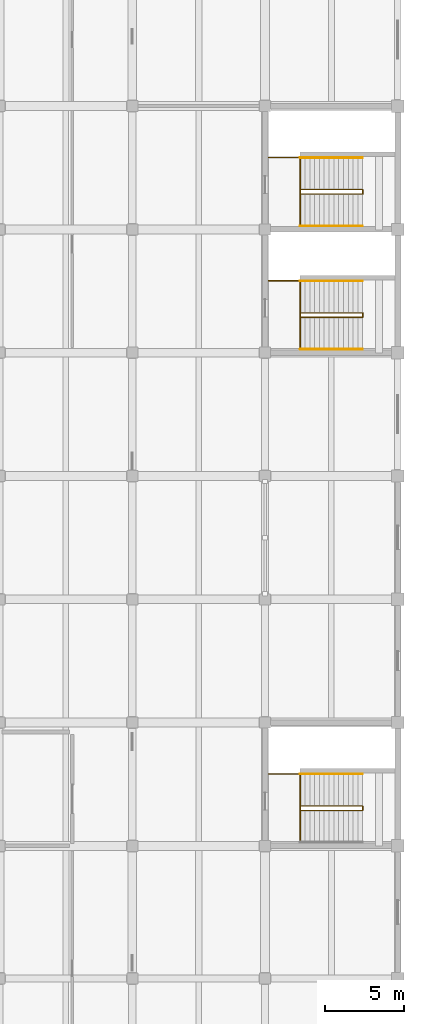
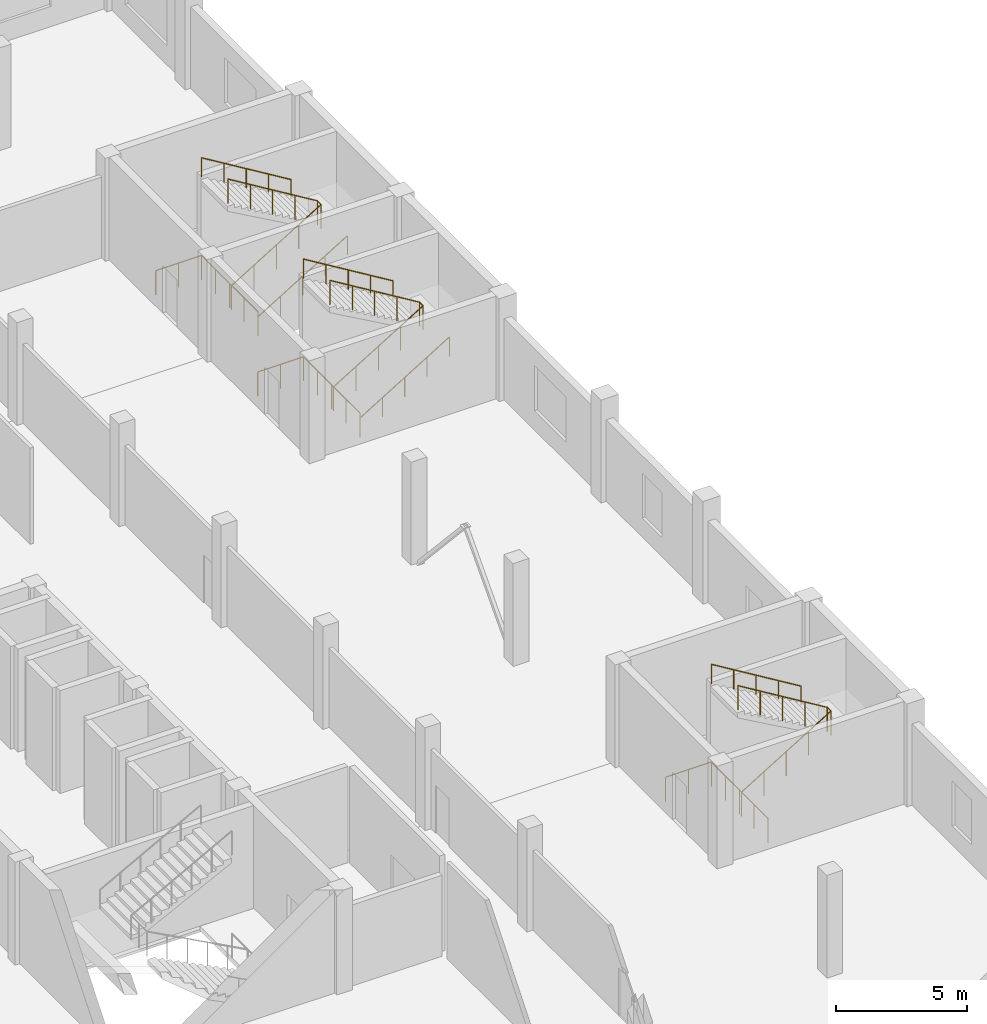
# One storey, part 91 of 91: 11 railings.
"""IFC4 building model written with IfcOpenShell, lengths in metres."""

from ifc_helpers import new_model, si_unit, direction, frame, origin, origin_2d, place, context, subcontext, project, spatial, circle, extrude, material, type_object, element, save


model = new_model("IFC4")

# Units and contexts
model_context = context("Model", 3, precision=1e-05, world=origin(), true_north=direction((0.0, 1.0)))
body_context = subcontext(model_context, "Body", "Model", "MODEL_VIEW")
ifc_project = project(units=[si_unit("LENGTHUNIT", "METRE"), si_unit("AREAUNIT", "SQUARE_METRE"), si_unit("VOLUMEUNIT", "CUBIC_METRE"), si_unit("PLANEANGLEUNIT", "RADIAN"), si_unit("MASSUNIT", "GRAM", prefix="KILO")], contexts=[model_context])

# Site, building, storey
site_placement = place(None, origin())
site = spatial("IfcSite", under=ifc_project, at=site_placement, CompositionType="ELEMENT")
building_placement = place(site_placement, origin())
building = spatial("IfcBuilding", under=site, at=building_placement, Name="Pellamere Symphony Hall", CompositionType="ELEMENT")
storey_placement = place(building_placement, frame((0.0, 0.0, 5.39990234375)))
storey = spatial("IfcBuildingStorey", under=building, at=storey_placement, Name="L01", CompositionType="ELEMENT", Elevation=5.39990234375)

# Railings
ifc_material_1 = material(Name="Painted Steel CSA G40.21 350W", Category="steel")
railing_type_1 = type_object("IfcRailingType", Name="Guardrail GR-02 H1150 Painted", PredefinedType="GUARDRAIL", material=ifc_material_1)
railing_1_placement = place(storey_placement, frame((166.625, 71.840087890625, 0.0)))
element("IfcRailing", 1, at=railing_1_placement, inside=storey, type_object=railing_type_1, Name="Stair ST05-L01 Continuous Well Guardrail (L01)", PredefinedType="GUARDRAIL", context=body_context, shape_type="SweptSolid", body=[
    extrude(circle(Radius=0.02392578125, at=origin_2d()), frame((0.0, 0.0, 1.1259765625), z_axis=(0.854599162348, 0.0, 0.519288235679), x_axis=(0.0, 1.0, 0.0)), (0.0, 0.0, 1.0), 4.6220703125),
    extrude(circle(Radius=0.02392578125, at=origin_2d()), frame((3.949951171875, 0.0, 3.52587890625), z_axis=(0.0, 1.0, 0.0), x_axis=(-1.0, 0.0, 0.0)), (0.0, 0.0, 1.0), 0.280029296875),
    extrude(circle(Radius=0.02392578125, at=origin_2d()), frame((3.949951171875, 0.280029296875, 3.52587890625), z_axis=(-0.854622603422, 0.0, 0.519249656446), x_axis=(0.0, -1.0, 0.0)), (0.0, 0.0, 1.0), 4.621826171875),
    extrude(circle(Radius=0.02099609375, at=origin_2d()), origin(), (0.0, 0.0, 1.0), 1.101806640625),
    extrude(circle(Radius=0.02099609375, at=origin_2d()), frame((0.987548828125, 0.0, 0.60009765625)), (0.0, 0.0, 1.0), 1.101806640625),
    extrude(circle(Radius=0.02099609375, at=origin_2d()), frame((1.97509765625, 0.0, 1.2001953125)), (0.0, 0.0, 1.0), 1.101806640625),
    extrude(circle(Radius=0.02099609375, at=origin_2d()), frame((2.96240234375, 0.0, 1.800048828125)), (0.0, 0.0, 1.0), 1.101806640625),
    extrude(circle(Radius=0.02099609375, at=origin_2d()), frame((3.949951171875, 0.0, 2.400146484375)), (0.0, 0.0, 1.0), 1.101806640625),
    extrude(circle(Radius=0.02099609375, at=origin_2d()), frame((3.949951171875, 0.280029296875, 2.400146484375)), (0.0, 0.0, 1.0), 1.101806640625),
    extrude(circle(Radius=0.02099609375, at=origin_2d()), frame((2.96240234375, 0.280029296875, 3.0)), (0.0, 0.0, 1.0), 1.101806640625),
    extrude(circle(Radius=0.02099609375, at=origin_2d()), frame((1.97509765625, 0.280029296875, 3.60009765625)), (0.0, 0.0, 1.0), 1.101806640625),
    extrude(circle(Radius=0.02099609375, at=origin_2d()), frame((0.987548828125, 0.280029296875, 4.2001953125)), (0.0, 0.0, 1.0), 1.101806640625),
    extrude(circle(Radius=0.02099609375, at=origin_2d()), frame((0.0, 0.280029296875, 4.800048828125)), (0.0, 0.0, 1.0), 1.101806640625),
])
railing_2_placement = place(storey_placement, frame((166.625, 69.81005859375, 0.0)))
element("IfcRailing", 2, at=railing_2_placement, inside=storey, type_object=railing_type_1, Name="Stair ST05-L01 Landing Well Slot Guard (L01)", PredefinedType="GUARDRAIL", context=body_context, shape_type="SweptSolid", body=[
    extrude(circle(Radius=0.02392578125, at=origin_2d()), frame((0.0, 0.0, 1.1259765625), z_axis=(0.0, 1.0, 0.0), x_axis=(-1.0, 0.0, 0.0)), (0.0, 0.0, 1.0), 4.33984375),
    extrude(circle(Radius=0.02392578125, at=origin_2d()), frame((0.0, 4.33984375, 1.1259765625), z_axis=(-1.0, 0.0, 0.0), x_axis=(0.0, -1.0, 0.0)), (0.0, 0.0, 1.0), 2.014892578125),
    extrude(circle(Radius=0.02099609375, at=origin_2d()), origin(), (0.0, 0.0, 1.0), 1.101806640625),
    extrude(circle(Radius=0.02099609375, at=origin_2d()), frame((0.0, 1.0849609375, 0.0)), (0.0, 0.0, 1.0), 1.101806640625),
    extrude(circle(Radius=0.02099609375, at=origin_2d()), frame((0.0, 2.169921875, 0.0)), (0.0, 0.0, 1.0), 1.101806640625),
    extrude(circle(Radius=0.02099609375, at=origin_2d()), frame((0.0, 3.2548828125, 0.0)), (0.0, 0.0, 1.0), 1.101806640625),
    extrude(circle(Radius=0.02099609375, at=origin_2d()), frame((0.0, 4.33984375, 0.0)), (0.0, 0.0, 1.0), 1.101806640625),
    extrude(circle(Radius=0.02099609375, at=origin_2d()), frame((-1.00732421875, 4.33984375, 0.0)), (0.0, 0.0, 1.0), 1.101806640625),
    extrude(circle(Radius=0.02099609375, at=origin_2d()), frame((-2.014892578125, 4.33984375, 0.0)), (0.0, 0.0, 1.0), 1.101806640625),
])
railing_3_placement = place(storey_placement, frame((166.625, 40.639892578125, 0.0)))
element("IfcRailing", 3, at=railing_3_placement, inside=storey, type_object=railing_type_1, Name="Stair ST06-L01 Continuous Well Guardrail (L01)", PredefinedType="GUARDRAIL", context=body_context, shape_type="SweptSolid", body=[
    extrude(circle(Radius=0.02392578125, at=origin_2d()), frame((0.0, 0.0, 1.1259765625), z_axis=(0.854599162348, 0.0, 0.519288235679), x_axis=(0.0, 1.0, 0.0)), (0.0, 0.0, 1.0), 4.6220703125),
    extrude(circle(Radius=0.02392578125, at=origin_2d()), frame((3.949951171875, 0.0, 3.52587890625), z_axis=(0.0, 1.0, 0.0), x_axis=(-1.0, 0.0, 0.0)), (0.0, 0.0, 1.0), 0.280029296875),
    extrude(circle(Radius=0.02392578125, at=origin_2d()), frame((3.949951171875, 0.280029296875, 3.52587890625), z_axis=(-0.854622603422, 0.0, 0.519249656446), x_axis=(0.0, -1.0, 0.0)), (0.0, 0.0, 1.0), 4.621826171875),
    extrude(circle(Radius=0.02099609375, at=origin_2d()), origin(), (0.0, 0.0, 1.0), 1.101806640625),
    extrude(circle(Radius=0.02099609375, at=origin_2d()), frame((0.987548828125, 0.0, 0.60009765625)), (0.0, 0.0, 1.0), 1.101806640625),
    extrude(circle(Radius=0.02099609375, at=origin_2d()), frame((1.97509765625, 0.0, 1.2001953125)), (0.0, 0.0, 1.0), 1.101806640625),
    extrude(circle(Radius=0.02099609375, at=origin_2d()), frame((2.96240234375, 0.0, 1.800048828125)), (0.0, 0.0, 1.0), 1.101806640625),
    extrude(circle(Radius=0.02099609375, at=origin_2d()), frame((3.949951171875, 0.0, 2.400146484375)), (0.0, 0.0, 1.0), 1.101806640625),
    extrude(circle(Radius=0.02099609375, at=origin_2d()), frame((3.949951171875, 0.280029296875, 2.400146484375)), (0.0, 0.0, 1.0), 1.101806640625),
    extrude(circle(Radius=0.02099609375, at=origin_2d()), frame((2.96240234375, 0.280029296875, 3.0)), (0.0, 0.0, 1.0), 1.101806640625),
    extrude(circle(Radius=0.02099609375, at=origin_2d()), frame((1.97509765625, 0.280029296875, 3.60009765625)), (0.0, 0.0, 1.0), 1.101806640625),
    extrude(circle(Radius=0.02099609375, at=origin_2d()), frame((0.987548828125, 0.280029296875, 4.2001953125)), (0.0, 0.0, 1.0), 1.101806640625),
    extrude(circle(Radius=0.02099609375, at=origin_2d()), frame((0.0, 0.280029296875, 4.800048828125)), (0.0, 0.0, 1.0), 1.101806640625),
])
railing_4_placement = place(storey_placement, frame((166.625, 38.610107421875, 0.0)))
element("IfcRailing", 4, at=railing_4_placement, inside=storey, type_object=railing_type_1, Name="Stair ST06-L01 Landing Well Slot Guard (L01)", PredefinedType="GUARDRAIL", context=body_context, shape_type="SweptSolid", body=[
    extrude(circle(Radius=0.02392578125, at=origin_2d()), frame((0.0, 0.0, 1.1259765625), z_axis=(0.0, 1.0, 0.0), x_axis=(-1.0, 0.0, 0.0)), (0.0, 0.0, 1.0), 4.33984375),
    extrude(circle(Radius=0.02392578125, at=origin_2d()), frame((0.0, 4.33984375, 1.1259765625), z_axis=(-1.0, 0.0, 0.0), x_axis=(0.0, -1.0, 0.0)), (0.0, 0.0, 1.0), 2.014892578125),
    extrude(circle(Radius=0.02099609375, at=origin_2d()), origin(), (0.0, 0.0, 1.0), 1.101806640625),
    extrude(circle(Radius=0.02099609375, at=origin_2d()), frame((0.0, 1.0849609375, 0.0)), (0.0, 0.0, 1.0), 1.101806640625),
    extrude(circle(Radius=0.02099609375, at=origin_2d()), frame((0.0, 2.169921875, 0.0)), (0.0, 0.0, 1.0), 1.101806640625),
    extrude(circle(Radius=0.02099609375, at=origin_2d()), frame((0.0, 3.2548828125, 0.0)), (0.0, 0.0, 1.0), 1.101806640625),
    extrude(circle(Radius=0.02099609375, at=origin_2d()), frame((0.0, 4.33984375, 0.0)), (0.0, 0.0, 1.0), 1.101806640625),
    extrude(circle(Radius=0.02099609375, at=origin_2d()), frame((-1.00732421875, 4.33984375, 0.0)), (0.0, 0.0, 1.0), 1.101806640625),
    extrude(circle(Radius=0.02099609375, at=origin_2d()), frame((-2.014892578125, 4.33984375, 0.0)), (0.0, 0.0, 1.0), 1.101806640625),
])
railing_5_placement = place(storey_placement, frame((166.625, 79.639892578125, 0.0)))
element("IfcRailing", 5, at=railing_5_placement, inside=storey, type_object=railing_type_1, Name="Stair ST14-L01 Continuous Well Guardrail (L01)", PredefinedType="GUARDRAIL", context=body_context, shape_type="SweptSolid", body=[
    extrude(circle(Radius=0.02392578125, at=origin_2d()), frame((0.0, 0.0, 1.1259765625), z_axis=(0.854599162348, 0.0, 0.519288235679), x_axis=(0.0, 1.0, 0.0)), (0.0, 0.0, 1.0), 4.6220703125),
    extrude(circle(Radius=0.02392578125, at=origin_2d()), frame((3.949951171875, 0.0, 3.52587890625), z_axis=(0.0, 1.0, 0.0), x_axis=(-1.0, 0.0, 0.0)), (0.0, 0.0, 1.0), 0.280029296875),
    extrude(circle(Radius=0.02392578125, at=origin_2d()), frame((3.949951171875, 0.280029296875, 3.52587890625), z_axis=(-0.854622603422, 0.0, 0.519249656446), x_axis=(0.0, -1.0, 0.0)), (0.0, 0.0, 1.0), 4.621826171875),
    extrude(circle(Radius=0.02099609375, at=origin_2d()), origin(), (0.0, 0.0, 1.0), 1.101806640625),
    extrude(circle(Radius=0.02099609375, at=origin_2d()), frame((0.987548828125, 0.0, 0.60009765625)), (0.0, 0.0, 1.0), 1.101806640625),
    extrude(circle(Radius=0.02099609375, at=origin_2d()), frame((1.97509765625, 0.0, 1.2001953125)), (0.0, 0.0, 1.0), 1.101806640625),
    extrude(circle(Radius=0.02099609375, at=origin_2d()), frame((2.96240234375, 0.0, 1.800048828125)), (0.0, 0.0, 1.0), 1.101806640625),
    extrude(circle(Radius=0.02099609375, at=origin_2d()), frame((3.949951171875, 0.0, 2.400146484375)), (0.0, 0.0, 1.0), 1.101806640625),
    extrude(circle(Radius=0.02099609375, at=origin_2d()), frame((3.949951171875, 0.280029296875, 2.400146484375)), (0.0, 0.0, 1.0), 1.101806640625),
    extrude(circle(Radius=0.02099609375, at=origin_2d()), frame((2.96240234375, 0.280029296875, 3.0)), (0.0, 0.0, 1.0), 1.101806640625),
    extrude(circle(Radius=0.02099609375, at=origin_2d()), frame((1.97509765625, 0.280029296875, 3.60009765625)), (0.0, 0.0, 1.0), 1.101806640625),
    extrude(circle(Radius=0.02099609375, at=origin_2d()), frame((0.987548828125, 0.280029296875, 4.2001953125)), (0.0, 0.0, 1.0), 1.101806640625),
    extrude(circle(Radius=0.02099609375, at=origin_2d()), frame((0.0, 0.280029296875, 4.800048828125)), (0.0, 0.0, 1.0), 1.101806640625),
])
railing_6_placement = place(storey_placement, frame((166.625, 77.610107421875, 0.0)))
element("IfcRailing", 6, at=railing_6_placement, inside=storey, type_object=railing_type_1, Name="Stair ST14-L01 Landing Well Slot Guard (L01)", PredefinedType="GUARDRAIL", context=body_context, shape_type="SweptSolid", body=[
    extrude(circle(Radius=0.02392578125, at=origin_2d()), frame((0.0, 0.0, 1.1259765625), z_axis=(0.0, 1.0, 0.0), x_axis=(-1.0, 0.0, 0.0)), (0.0, 0.0, 1.0), 4.33984375),
    extrude(circle(Radius=0.02392578125, at=origin_2d()), frame((0.0, 4.33984375, 1.1259765625), z_axis=(-1.0, 0.0, 0.0), x_axis=(0.0, -1.0, 0.0)), (0.0, 0.0, 1.0), 2.014892578125),
    extrude(circle(Radius=0.02099609375, at=origin_2d()), origin(), (0.0, 0.0, 1.0), 1.101806640625),
    extrude(circle(Radius=0.02099609375, at=origin_2d()), frame((0.0, 1.0849609375, 0.0)), (0.0, 0.0, 1.0), 1.101806640625),
    extrude(circle(Radius=0.02099609375, at=origin_2d()), frame((0.0, 2.169921875, 0.0)), (0.0, 0.0, 1.0), 1.101806640625),
    extrude(circle(Radius=0.02099609375, at=origin_2d()), frame((0.0, 3.2548828125, 0.0)), (0.0, 0.0, 1.0), 1.101806640625),
    extrude(circle(Radius=0.02099609375, at=origin_2d()), frame((0.0, 4.33984375, 0.0)), (0.0, 0.0, 1.0), 1.101806640625),
    extrude(circle(Radius=0.02099609375, at=origin_2d()), frame((-1.00732421875, 4.33984375, 0.0)), (0.0, 0.0, 1.0), 1.101806640625),
    extrude(circle(Radius=0.02099609375, at=origin_2d()), frame((-2.014892578125, 4.33984375, 0.0)), (0.0, 0.0, 1.0), 1.101806640625),
])
ifc_material_2 = material(Name="Stainless Steel AISI 316", Category="steel")
railing_type_2 = type_object("IfcRailingType", Name="Handrail HR-01 H920 Stainless", PredefinedType="HANDRAIL", material=ifc_material_2)
railing_7_placement = place(storey_placement, frame((166.625, 69.820068359375, 0.0)))
element("IfcRailing", 7, at=railing_7_placement, inside=storey, type_object=railing_type_2, Name="Stair ST05-L01 Lower Wall Handrail (L01)", PredefinedType="HANDRAIL", context=body_context, shape_type="SweptSolid", body=[
    extrude(circle(Radius=0.02392578125, at=origin_2d()), frame((0.0, 0.0, 0.89599609375), z_axis=(0.854599162348, 0.0, 0.519288235679), x_axis=(0.0, 1.0, 0.0)), (0.0, 0.0, 1.0), 4.6220703125),
    extrude(circle(Radius=0.02099609375, at=origin_2d()), origin(), (0.0, 0.0, 1.0), 0.871826171875),
    extrude(circle(Radius=0.02099609375, at=origin_2d()), frame((0.987548828125, 0.0, 0.60009765625)), (0.0, 0.0, 1.0), 0.871826171875),
    extrude(circle(Radius=0.02099609375, at=origin_2d()), frame((1.97509765625, 0.0, 1.2001953125)), (0.0, 0.0, 1.0), 0.871826171875),
    extrude(circle(Radius=0.02099609375, at=origin_2d()), frame((2.96240234375, 0.0, 1.800048828125)), (0.0, 0.0, 1.0), 0.871826171875),
    extrude(circle(Radius=0.02099609375, at=origin_2d()), frame((3.949951171875, 0.0, 2.400146484375)), (0.0, 0.0, 1.0), 0.871826171875),
])
for number, where, name in (
    (8, (170.574951171875, 74.139892578125, 2.400146484375), "Stair ST05-L01 Upper Wall Handrail (L01)"),
    (9, (170.574951171875, 42.93994140625, 2.400146484375), "Stair ST06-L01 Upper Wall Handrail (L01)"),
):
    element("IfcRailing", number, at=place(storey_placement, frame(where)), inside=storey, type_object=railing_type_2, Name=name, PredefinedType="HANDRAIL", context=body_context, shape_type="SweptSolid", body=[
        extrude(circle(Radius=0.02392578125, at=origin_2d()), frame((0.0, 0.0, 0.89599609375), z_axis=(-0.854622603422, 0.0, 0.519249656446), x_axis=(0.0, -1.0, 0.0)), (0.0, 0.0, 1.0), 4.621826171875),
        extrude(circle(Radius=0.02099609375, at=origin_2d()), origin(), (0.0, 0.0, 1.0), 0.871826171875),
        extrude(circle(Radius=0.02099609375, at=origin_2d()), frame((-0.987548828125, 0.0, 0.60009765625)), (0.0, 0.0, 1.0), 0.871826171875),
        extrude(circle(Radius=0.02099609375, at=origin_2d()), frame((-1.97509765625, 0.0, 1.199951171875)), (0.0, 0.0, 1.0), 0.871826171875),
        extrude(circle(Radius=0.02099609375, at=origin_2d()), frame((-2.96240234375, 0.0, 1.7998046875)), (0.0, 0.0, 1.0), 0.871826171875),
        extrude(circle(Radius=0.02099609375, at=origin_2d()), frame((-3.949951171875, 0.0, 2.39990234375)), (0.0, 0.0, 1.0), 0.871826171875),
    ])
railing_8_placement = place(storey_placement, frame((166.625, 77.6201171875, 0.0)))
element("IfcRailing", 10, at=railing_8_placement, inside=storey, type_object=railing_type_2, Name="Stair ST14-L01 Lower Wall Handrail (L01)", PredefinedType="HANDRAIL", context=body_context, shape_type="SweptSolid", body=[
    extrude(circle(Radius=0.02392578125, at=origin_2d()), frame((0.0, 0.0, 0.89599609375), z_axis=(0.854599162348, 0.0, 0.519288235679), x_axis=(0.0, 1.0, 0.0)), (0.0, 0.0, 1.0), 4.6220703125),
    extrude(circle(Radius=0.02099609375, at=origin_2d()), origin(), (0.0, 0.0, 1.0), 0.871826171875),
    extrude(circle(Radius=0.02099609375, at=origin_2d()), frame((0.987548828125, 0.0, 0.60009765625)), (0.0, 0.0, 1.0), 0.871826171875),
    extrude(circle(Radius=0.02099609375, at=origin_2d()), frame((1.97509765625, 0.0, 1.2001953125)), (0.0, 0.0, 1.0), 0.871826171875),
    extrude(circle(Radius=0.02099609375, at=origin_2d()), frame((2.96240234375, 0.0, 1.800048828125)), (0.0, 0.0, 1.0), 0.871826171875),
    extrude(circle(Radius=0.02099609375, at=origin_2d()), frame((3.949951171875, 0.0, 2.400146484375)), (0.0, 0.0, 1.0), 0.871826171875),
])
railing_9_placement = place(storey_placement, frame((170.574951171875, 81.93994140625, 2.400146484375)))
element("IfcRailing", 11, at=railing_9_placement, inside=storey, type_object=railing_type_2, Name="Stair ST14-L01 Upper Wall Handrail (L01)", PredefinedType="HANDRAIL", context=body_context, shape_type="SweptSolid", body=[
    extrude(circle(Radius=0.02392578125, at=origin_2d()), frame((0.0, 0.0, 0.89599609375), z_axis=(-0.854622603422, 0.0, 0.519249656446), x_axis=(0.0, -1.0, 0.0)), (0.0, 0.0, 1.0), 4.621826171875),
    extrude(circle(Radius=0.02099609375, at=origin_2d()), origin(), (0.0, 0.0, 1.0), 0.871826171875),
    extrude(circle(Radius=0.02099609375, at=origin_2d()), frame((-0.987548828125, 0.0, 0.60009765625)), (0.0, 0.0, 1.0), 0.871826171875),
    extrude(circle(Radius=0.02099609375, at=origin_2d()), frame((-1.97509765625, 0.0, 1.199951171875)), (0.0, 0.0, 1.0), 0.871826171875),
    extrude(circle(Radius=0.02099609375, at=origin_2d()), frame((-2.96240234375, 0.0, 1.7998046875)), (0.0, 0.0, 1.0), 0.871826171875),
    extrude(circle(Radius=0.02099609375, at=origin_2d()), frame((-3.949951171875, 0.0, 2.39990234375)), (0.0, 0.0, 1.0), 0.871826171875),
])

save(model, "model.ifc")
